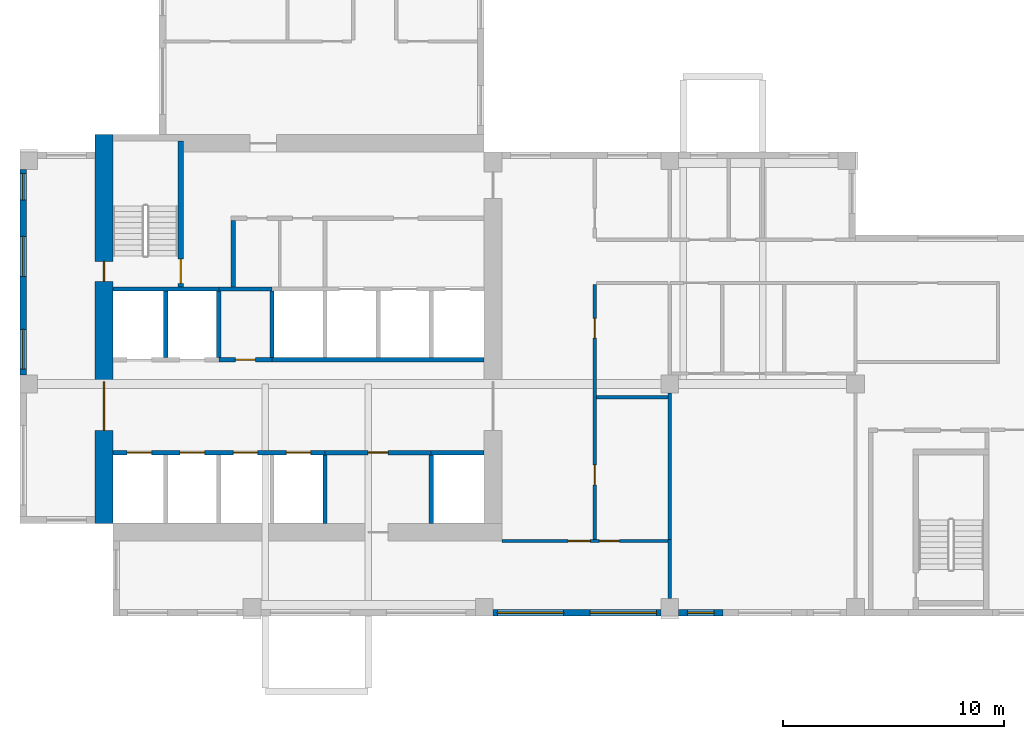
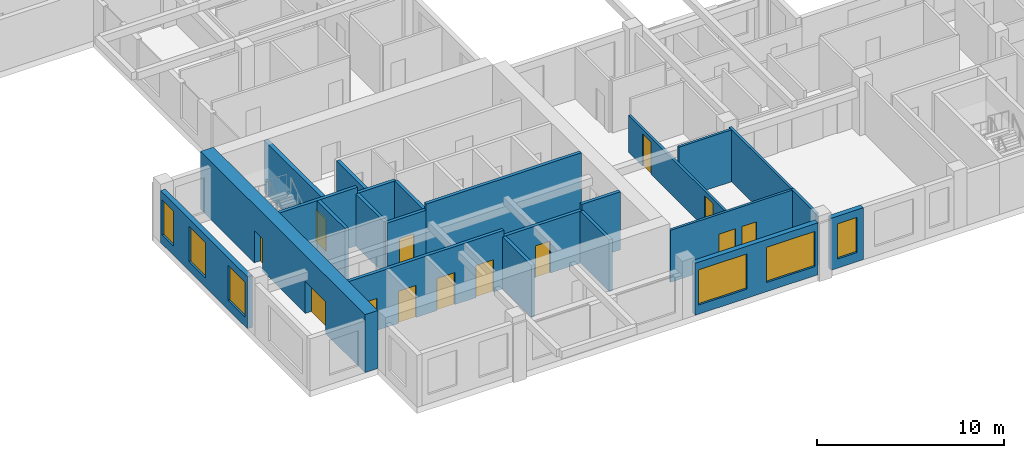
# One storey, part 2 of 11: 23 walls, 13 doors, 6 windows, 19 openings.
"""IFC4 building model written with IfcOpenShell, lengths in metres."""

from ifc_helpers import new_model, si_unit, direction, frame, frame_2d, origin, place, context, subcontext, project, spatial, rectangle, extrude, source, transform, mapped, material, layer, layer_set, type_object, element, fill, save


model = new_model("IFC4")

# Units and contexts
model_context = context("Model", 3, precision=1e-05, world=origin(), true_north=direction((0.0, 1.0)))
body_context = subcontext(model_context, "Body", "Model", "MODEL_VIEW")
ifc_project = project(units=[si_unit("LENGTHUNIT", "METRE"), si_unit("AREAUNIT", "SQUARE_METRE"), si_unit("VOLUMEUNIT", "CUBIC_METRE"), si_unit("PLANEANGLEUNIT", "RADIAN"), si_unit("MASSUNIT", "GRAM", prefix="KILO")], contexts=[model_context])

# Site, building, storey
site_placement = place(None, origin())
site = spatial("IfcSite", under=ifc_project, at=site_placement, CompositionType="ELEMENT")
building_placement = place(site_placement, origin())
building = spatial("IfcBuilding", under=site, at=building_placement, Name="Aurelian Terraces", CompositionType="ELEMENT")
storey_placement = place(building_placement, frame((0.0, 0.0, 250.0)))
storey = spatial("IfcBuildingStorey", under=building, at=storey_placement, Name="L57", CompositionType="ELEMENT", Elevation=250.0)

# Wall, openings, doors
ifc_material_1 = material(Name="Concrete fc' 70 MPa", Category="concrete")
ifc_layer_1 = layer(ifc_material_1, 0.8)
ifc_layer_set_1 = layer_set([ifc_layer_1], Name="CORE WALL 800 FC70")
wall_type_1 = type_object("IfcWallType", Name="CORE WALL 800 FC70", PredefinedType="SHEAR", material=ifc_layer_set_1)
shared_shape_1 = source(origin(), body_context, "Body", "SweptSolid", [
    extrude(rectangle(XDim=17.6, YDim=0.8, at=frame_2d((8.8, 0.0))), origin(), (0.0, 0.0, 1.0), 3.8),
])
wall_1_placement = place(storey_placement, frame((3.8, 4.2, 0.0), z_axis=(0.0, 0.0, 1.0), x_axis=(0.0, 1.0, 0.0)))
wall_1 = element("IfcWall", 1, at=wall_1_placement, inside=storey, type_object=wall_type_1, Name="Core wall W L57", PredefinedType="SHEAR", context=body_context, shape_type="MappedRepresentation", body=[
    mapped(shared_shape_1, transform((0.0, 0.0, 0.0), scale=1.0)),
])
shared_shape_2 = source(origin(), body_context, "Body", "SweptSolid", [
    extrude(rectangle(XDim=2.2, YDim=2.1, at=frame_2d((1.1, 1.05))), frame((0.0, 0.41, 0.0), z_axis=(0.0, -1.0, 0.0), x_axis=(1.0, 0.0, 0.0)), (0.0, 0.0, 1.0), 0.82),
])
opening_1_placement = place(wall_1_placement, frame((4.2, 0.0, 0.0)))
opening_1 = element("IfcOpeningElement", 2, at=opening_1_placement, cuts=wall_1, Name="Opening 66022", PredefinedType="OPENING", context=body_context, shape_type="MappedRepresentation", body=[
    mapped(shared_shape_2, transform((0.0, 0.0, 0.0), scale=1.0)),
])
shared_shape_3 = source(origin(), body_context, "Body", "SweptSolid", [
    extrude(rectangle(XDim=0.9, YDim=2.1, at=frame_2d((0.45, 1.05))), frame((0.0, 0.41, 0.0), z_axis=(0.0, -1.0, 0.0), x_axis=(1.0, 0.0, 0.0)), (0.0, 0.0, 1.0), 0.82),
])
opening_2_placement = place(wall_1_placement, frame((10.95, 0.0, 0.0)))
opening_2 = element("IfcOpeningElement", 3, at=opening_2_placement, cuts=wall_1, Name="Opening 66026", PredefinedType="OPENING", context=body_context, shape_type="MappedRepresentation", body=[
    mapped(shared_shape_3, transform((0.0, 0.0, 0.0), scale=1.0)),
])
ifc_material_2 = material(Name="Steel door leaf", Category="steel")
door_type_1 = type_object("IfcDoorType", Name="Core service door 900x2100 right", OperationType="SINGLE_SWING_RIGHT", PredefinedType="DOOR", material=ifc_material_2)
shared_shape_4 = source(origin(), body_context, "Body", "SweptSolid", [
    extrude(rectangle(XDim=0.9, YDim=2.1, at=frame_2d((0.45, 1.05))), frame((0.0, 0.025, 0.0), z_axis=(0.0, -1.0, 0.0), x_axis=(1.0, 0.0, 0.0)), (0.0, 0.0, 1.0), 0.05),
])
door_1_placement = place(opening_2_placement, origin())
door_1 = element("IfcDoor", 4, at=door_1_placement, inside=storey, type_object=door_type_1, Name="Core door 66026", OperationType="SINGLE_SWING_RIGHT", OverallHeight=2.1, OverallWidth=0.9, PredefinedType="DOOR", context=body_context, shape_type="MappedRepresentation", body=[
    mapped(shared_shape_4, transform((0.0, 0.0, 0.0), scale=1.0)),
])
fill(opening_2, door_1)
door_type_2 = type_object("IfcDoorType", Name="Core double door 2200x2100", OperationType="DOUBLE_DOOR_SINGLE_SWING", PredefinedType="DOOR", material=ifc_material_2)
shared_shape_5 = source(origin(), body_context, "Body", "SweptSolid", [
    extrude(rectangle(XDim=2.2, YDim=2.1, at=frame_2d((1.1, 1.05))), frame((0.0, 0.025, 0.0), z_axis=(0.0, -1.0, 0.0), x_axis=(1.0, 0.0, 0.0)), (0.0, 0.0, 1.0), 0.05),
])
door_2_placement = place(opening_1_placement, origin())
door_2 = element("IfcDoor", 5, at=door_2_placement, inside=storey, type_object=door_type_2, Name="Core door 66022", OperationType="DOUBLE_DOOR_SINGLE_SWING", OverallHeight=2.1, OverallWidth=2.2, PredefinedType="DOOR", context=body_context, shape_type="MappedRepresentation", body=[
    mapped(shared_shape_5, transform((0.0, 0.0, 0.0), scale=1.0)),
])
fill(opening_1, door_2)

# Wall, openings, windows
ifc_material_3 = material(Name="Terracotta rainscreen cladding", Category="masonry")
ifc_layer_2 = layer(ifc_material_3, 0.3)
ifc_layer_set_2 = layer_set([ifc_layer_2], Name="EW-300")
wall_type_2 = type_object("IfcWallType", Name="EW-300", PredefinedType="STANDARD", material=ifc_layer_set_2)
shared_shape_6 = source(origin(), body_context, "Body", "SweptSolid", [
    extrude(rectangle(XDim=7.6, YDim=0.3, at=frame_2d((3.8, 0.0))), origin(), (0.0, 0.0, 1.0), 3.4),
])
wall_2_placement = place(storey_placement, frame((21.4, 0.15, 0.0), z_axis=(0.0, 0.0, 1.0), x_axis=(1.0, 0.0, 0.0)))
wall_2 = element("IfcWall", 6, at=wall_2_placement, inside=storey, type_object=wall_type_2, Name="External wall L57 F01.3", PredefinedType="STANDARD", context=body_context, shape_type="MappedRepresentation", body=[
    mapped(shared_shape_6, transform((0.0, 0.0, 0.0), scale=1.0)),
])
shared_shape_7 = source(origin(), body_context, "Body", "SweptSolid", [
    extrude(rectangle(XDim=3.0, YDim=2.3, at=frame_2d((1.5, 1.15))), frame((0.0, 0.16, 0.0), z_axis=(0.0, -1.0, 0.0), x_axis=(1.0, 0.0, 0.0)), (0.0, 0.0, 1.0), 0.32),
])
opening_3_placement = place(wall_2_placement, frame((0.2, 0.0, 0.6)))
opening_3 = element("IfcOpeningElement", 7, at=opening_3_placement, cuts=wall_2, Name="Opening W3023", PredefinedType="OPENING", context=body_context, shape_type="MappedRepresentation", body=[
    mapped(shared_shape_7, transform((0.0, 0.0, 0.0), scale=1.0)),
])
opening_4_placement = place(wall_2_placement, frame((4.4, 0.0, 0.6)))
opening_4 = element("IfcOpeningElement", 8, at=opening_4_placement, cuts=wall_2, Name="Opening W3023", PredefinedType="OPENING", context=body_context, shape_type="MappedRepresentation", body=[
    mapped(shared_shape_7, transform((0.0, 0.0, 0.0), scale=1.0)),
])
ifc_material_4 = material(Name="Clear glazing", Category="glass")
window_type_1 = type_object("IfcWindowType", Name="W-3000x2300", PartitioningType="SINGLE_PANEL", PredefinedType="WINDOW", material=ifc_material_4)
shared_shape_8 = source(origin(), body_context, "Body", "SweptSolid", [
    extrude(rectangle(XDim=3.0, YDim=2.3, at=frame_2d((1.5, 1.15))), frame((0.0, 0.03, 0.0), z_axis=(0.0, -1.0, 0.0), x_axis=(1.0, 0.0, 0.0)), (0.0, 0.0, 1.0), 0.06),
])
window_1_placement = place(opening_3_placement, origin())
window_1 = element("IfcWindow", 9, at=window_1_placement, inside=storey, type_object=window_type_1, Name="Window L57 L57-F01-03-0", OverallHeight=2.3, OverallWidth=3.0, PartitioningType="SINGLE_PANEL", PredefinedType="WINDOW", context=body_context, shape_type="MappedRepresentation", body=[
    mapped(shared_shape_8, transform((0.0, 0.0, 0.0), scale=1.0)),
])
fill(opening_3, window_1)
window_2_placement = place(opening_4_placement, origin())
window_2 = element("IfcWindow", 10, at=window_2_placement, inside=storey, type_object=window_type_1, Name="Window L57 L57-F01-03-1", OverallHeight=2.3, OverallWidth=3.0, PartitioningType="SINGLE_PANEL", PredefinedType="WINDOW", context=body_context, shape_type="MappedRepresentation", body=[
    mapped(shared_shape_8, transform((0.0, 0.0, 0.0), scale=1.0)),
])
fill(opening_4, window_2)

# Wall, opening, window
shared_shape_9 = source(origin(), body_context, "Body", "SweptSolid", [
    extrude(rectangle(XDim=2.0, YDim=0.3, at=frame_2d((1.0, 0.0))), origin(), (0.0, 0.0, 1.0), 3.4),
])
wall_3_placement = place(storey_placement, frame((29.8, 0.15, 0.0), z_axis=(0.0, 0.0, 1.0), x_axis=(1.0, 0.0, 0.0)))
wall_3 = element("IfcWall", 11, at=wall_3_placement, inside=storey, type_object=wall_type_2, Name="External wall L57 F01.4", PredefinedType="STANDARD", context=body_context, shape_type="MappedRepresentation", body=[
    mapped(shared_shape_9, transform((0.0, 0.0, 0.0), scale=1.0)),
])
shared_shape_10 = source(origin(), body_context, "Body", "SweptSolid", [
    extrude(rectangle(XDim=1.2, YDim=2.3, at=frame_2d((0.6, 1.15))), frame((0.0, 0.16, 0.0), z_axis=(0.0, -1.0, 0.0), x_axis=(1.0, 0.0, 0.0)), (0.0, 0.0, 1.0), 0.32),
])
opening_5_placement = place(wall_3_placement, frame((0.4, 0.0, 0.6)))
opening_5 = element("IfcOpeningElement", 12, at=opening_5_placement, cuts=wall_3, Name="Opening W1223", PredefinedType="OPENING", context=body_context, shape_type="MappedRepresentation", body=[
    mapped(shared_shape_10, transform((0.0, 0.0, 0.0), scale=1.0)),
])
window_type_2 = type_object("IfcWindowType", Name="W-1200x2300", PartitioningType="SINGLE_PANEL", PredefinedType="WINDOW", material=ifc_material_4)
shared_shape_11 = source(origin(), body_context, "Body", "SweptSolid", [
    extrude(rectangle(XDim=1.2, YDim=2.3, at=frame_2d((0.6, 1.15))), frame((0.0, 0.03, 0.0), z_axis=(0.0, -1.0, 0.0), x_axis=(1.0, 0.0, 0.0)), (0.0, 0.0, 1.0), 0.06),
])
window_3_placement = place(opening_5_placement, origin())
window_3 = element("IfcWindow", 13, at=window_3_placement, inside=storey, type_object=window_type_2, Name="Window L57 L57-F01-04-P0", OverallHeight=2.3, OverallWidth=1.2, PartitioningType="SINGLE_PANEL", PredefinedType="WINDOW", context=body_context, shape_type="MappedRepresentation", body=[
    mapped(shared_shape_11, transform((0.0, 0.0, 0.0), scale=1.0)),
])
fill(opening_5, window_3)

# Wall, openings, windows
shared_shape_12 = source(origin(), body_context, "Body", "SweptSolid", [
    extrude(rectangle(XDim=9.3, YDim=0.3, at=frame_2d((4.65, 0.0))), origin(), (0.0, 0.0, 1.0), 3.4),
])
wall_4_placement = place(storey_placement, frame((0.15, 20.2, 0.0), z_axis=(0.0, 0.0, 1.0), x_axis=(0.0, -1.0, 0.0)))
wall_4 = element("IfcWall", 14, at=wall_4_placement, inside=storey, type_object=wall_type_2, Name="External wall L57 F20.33", PredefinedType="STANDARD", context=body_context, shape_type="MappedRepresentation", body=[
    mapped(shared_shape_12, transform((0.0, 0.0, 0.0), scale=1.0)),
])
opening_6_placement = place(wall_4_placement, frame((0.175, 0.0, 0.6)))
opening_6 = element("IfcOpeningElement", 15, at=opening_6_placement, cuts=wall_4, Name="Opening W1223", PredefinedType="OPENING", context=body_context, shape_type="MappedRepresentation", body=[
    mapped(shared_shape_10, transform((0.0, 0.0, 0.0), scale=1.0)),
])
shared_shape_13 = source(origin(), body_context, "Body", "SweptSolid", [
    extrude(rectangle(XDim=1.8, YDim=2.3, at=frame_2d((0.9, 1.15))), frame((0.0, 0.16, 0.0), z_axis=(0.0, -1.0, 0.0), x_axis=(1.0, 0.0, 0.0)), (0.0, 0.0, 1.0), 0.32),
])
opening_7_placement = place(wall_4_placement, frame((3.025, 0.0, 0.6)))
opening_7 = element("IfcOpeningElement", 16, at=opening_7_placement, cuts=wall_4, Name="Opening W1823", PredefinedType="OPENING", context=body_context, shape_type="MappedRepresentation", body=[
    mapped(shared_shape_13, transform((0.0, 0.0, 0.0), scale=1.0)),
])
opening_8_placement = place(wall_4_placement, frame((7.225, 0.0, 0.6)))
opening_8 = element("IfcOpeningElement", 17, at=opening_8_placement, cuts=wall_4, Name="Opening W1823", PredefinedType="OPENING", context=body_context, shape_type="MappedRepresentation", body=[
    mapped(shared_shape_13, transform((0.0, 0.0, 0.0), scale=1.0)),
])
window_4_placement = place(opening_6_placement, origin())
window_4 = element("IfcWindow", 18, at=window_4_placement, inside=storey, type_object=window_type_2, Name="Window L57 L57-F20-33-0", OverallHeight=2.3, OverallWidth=1.2, PartitioningType="SINGLE_PANEL", PredefinedType="WINDOW", context=body_context, shape_type="MappedRepresentation", body=[
    mapped(shared_shape_11, transform((0.0, 0.0, 0.0), scale=1.0)),
])
fill(opening_6, window_4)
window_type_3 = type_object("IfcWindowType", Name="W-1800x2300", PartitioningType="SINGLE_PANEL", PredefinedType="WINDOW", material=ifc_material_4)
shared_shape_14 = source(origin(), body_context, "Body", "SweptSolid", [
    extrude(rectangle(XDim=1.8, YDim=2.3, at=frame_2d((0.9, 1.15))), frame((0.0, 0.03, 0.0), z_axis=(0.0, -1.0, 0.0), x_axis=(1.0, 0.0, 0.0)), (0.0, 0.0, 1.0), 0.06),
])
window_5_placement = place(opening_7_placement, origin())
window_5 = element("IfcWindow", 19, at=window_5_placement, inside=storey, type_object=window_type_3, Name="Window L57 L57-F20-33-1", OverallHeight=2.3, OverallWidth=1.8, PartitioningType="SINGLE_PANEL", PredefinedType="WINDOW", context=body_context, shape_type="MappedRepresentation", body=[
    mapped(shared_shape_14, transform((0.0, 0.0, 0.0), scale=1.0)),
])
fill(opening_7, window_5)
window_6_placement = place(opening_8_placement, origin())
window_6 = element("IfcWindow", 20, at=window_6_placement, inside=storey, type_object=window_type_3, Name="Window L57 L57-F20-33-2", OverallHeight=2.3, OverallWidth=1.8, PartitioningType="SINGLE_PANEL", PredefinedType="WINDOW", context=body_context, shape_type="MappedRepresentation", body=[
    mapped(shared_shape_14, transform((0.0, 0.0, 0.0), scale=1.0)),
])
fill(opening_8, window_6)

# Walls
ifc_material_5 = material(Name="Concrete fc' 40 MPa", Category="concrete")
ifc_layer_3 = layer(ifc_material_5, 0.2)
ifc_layer_set_3 = layer_set([ifc_layer_3], Name="Lift shaft wall 200")
wall_type_3 = type_object("IfcWallType", Name="Lift shaft wall 200", PredefinedType="SOLIDWALL", material=ifc_layer_set_3)
shared_shape_15 = source(origin(), body_context, "Body", "SweptSolid", [
    extrude(rectangle(XDim=3.1, YDim=0.2, at=frame_2d((1.55, 0.0))), origin(), (0.0, 0.0, 1.0), 3.4),
])
for number, where, z_axis, x_axis, name in (
    (21, (13.8, 4.2, 0.0), (0.0, 0.0, 1.0), (0.0, 1.0, 0.0), "L57 core wall CD-A4"),
    (22, (18.6, 4.2, 0.0), (0.0, 0.0, 1.0), (0.0, 1.0, 0.0), "L57 core wall CD-A6"),
):
    element("IfcWall", number, at=place(storey_placement, frame(where, z_axis=z_axis, x_axis=x_axis)), inside=storey, type_object=wall_type_3, Name=name, PredefinedType="SOLIDWALL", context=body_context, shape_type="MappedRepresentation", body=[
        mapped(shared_shape_15, transform((0.0, 0.0, 0.0), scale=1.0)),
    ])
shared_shape_16 = source(origin(), body_context, "Body", "SweptSolid", [
    extrude(rectangle(XDim=3.0, YDim=0.2, at=frame_2d((1.5, 0.0))), origin(), (0.0, 0.0, 1.0), 3.4),
])
for number, where, z_axis, x_axis, name in (
    (23, (9.0, 11.7, 0.0), (0.0, 0.0, 1.0), (0.0, 1.0, 0.0), "L57 core wall CD-B2"),
    (24, (11.4, 11.7, 0.0), (0.0, 0.0, 1.0), (0.0, 1.0, 0.0), "L57 core wall CD-B3"),
):
    element("IfcWall", number, at=place(storey_placement, frame(where, z_axis=z_axis, x_axis=x_axis)), inside=storey, type_object=wall_type_3, Name=name, PredefinedType="SOLIDWALL", context=body_context, shape_type="MappedRepresentation", body=[
        mapped(shared_shape_16, transform((0.0, 0.0, 0.0), scale=1.0)),
    ])
shared_shape_17 = source(origin(), body_context, "Body", "SweptSolid", [
    extrude(rectangle(XDim=3.0, YDim=0.2, at=frame_2d((1.5, 0.0))), origin(), (0.0, 0.0, 1.0), 3.8),
])
wall_5_placement = place(storey_placement, frame((6.6, 11.7, 0.0), z_axis=(0.0, 0.0, 1.0), x_axis=(0.0, 1.0, 0.0)))
element("IfcWall", 25, at=wall_5_placement, inside=storey, type_object=wall_type_3, Name="L57 core wall CD-B1", PredefinedType="SOLIDWALL", context=body_context, shape_type="MappedRepresentation", body=[
    mapped(shared_shape_17, transform((0.0, 0.0, 0.0), scale=1.0)),
])

# Wall, openings, doors
shared_shape_18 = source(origin(), body_context, "Body", "SweptSolid", [
    extrude(rectangle(XDim=9.6, YDim=0.2, at=frame_2d((4.8, 0.0))), origin(), (0.0, 0.0, 1.0), 3.8),
])
wall_6_placement = place(storey_placement, frame((4.2, 7.4, 0.0), z_axis=(0.0, 0.0, 1.0), x_axis=(1.0, 0.0, 0.0)))
wall_6 = element("IfcWall", 26, at=wall_6_placement, inside=storey, type_object=wall_type_3, Name="L57 core wall CF-AF1", PredefinedType="SOLIDWALL", context=body_context, shape_type="MappedRepresentation", body=[
    mapped(shared_shape_18, transform((0.0, 0.0, 0.0), scale=1.0)),
])
shared_shape_19 = source(origin(), body_context, "Body", "SweptSolid", [
    extrude(rectangle(XDim=1.1, YDim=2.1, at=frame_2d((0.55, 1.05))), frame((0.0, 0.11, 0.0), z_axis=(0.0, -1.0, 0.0), x_axis=(1.0, 0.0, 0.0)), (0.0, 0.0, 1.0), 0.22),
])
opening_9_placement = place(wall_6_placement, frame((0.65, 0.0, 0.0)))
opening_9 = element("IfcOpeningElement", 27, at=opening_9_placement, cuts=wall_6, Name="Opening 66000", PredefinedType="OPENING", context=body_context, shape_type="MappedRepresentation", body=[
    mapped(shared_shape_19, transform((0.0, 0.0, 0.0), scale=1.0)),
])
opening_10_placement = place(wall_6_placement, frame((3.05, 0.0, 0.0)))
opening_10 = element("IfcOpeningElement", 28, at=opening_10_placement, cuts=wall_6, Name="Opening 66001", PredefinedType="OPENING", context=body_context, shape_type="MappedRepresentation", body=[
    mapped(shared_shape_19, transform((0.0, 0.0, 0.0), scale=1.0)),
])
opening_11_placement = place(wall_6_placement, frame((5.45, 0.0, 0.0)))
opening_11 = element("IfcOpeningElement", 29, at=opening_11_placement, cuts=wall_6, Name="Opening 66002", PredefinedType="OPENING", context=body_context, shape_type="MappedRepresentation", body=[
    mapped(shared_shape_19, transform((0.0, 0.0, 0.0), scale=1.0)),
])
opening_12_placement = place(wall_6_placement, frame((7.85, 0.0, 0.0)))
opening_12 = element("IfcOpeningElement", 30, at=opening_12_placement, cuts=wall_6, Name="Opening 66003", PredefinedType="OPENING", context=body_context, shape_type="MappedRepresentation", body=[
    mapped(shared_shape_19, transform((0.0, 0.0, 0.0), scale=1.0)),
])
ifc_material_6 = material(Name="Stainless steel", Category="steel")
door_type_3 = type_object("IfcDoorType", Name="Lift landing door 1100x2100", OperationType="SLIDING_TO_LEFT", PredefinedType="DOOR", material=ifc_material_6)
shared_shape_20 = source(origin(), body_context, "Body", "SweptSolid", [
    extrude(rectangle(XDim=1.1, YDim=2.1, at=frame_2d((0.55, 1.05))), frame((0.0, 0.025, 0.0), z_axis=(0.0, -1.0, 0.0), x_axis=(1.0, 0.0, 0.0)), (0.0, 0.0, 1.0), 0.05),
])
door_3_placement = place(opening_9_placement, origin())
door_3 = element("IfcDoor", 31, at=door_3_placement, inside=storey, type_object=door_type_3, Name="Lift landing door LM1 L57", OperationType="SLIDING_TO_LEFT", OverallHeight=2.1, OverallWidth=1.1, PredefinedType="DOOR", context=body_context, shape_type="MappedRepresentation", body=[
    mapped(shared_shape_20, transform((0.0, 0.0, 0.0), scale=1.0)),
])
fill(opening_9, door_3)
door_4_placement = place(opening_10_placement, origin())
door_4 = element("IfcDoor", 32, at=door_4_placement, inside=storey, type_object=door_type_3, Name="Lift landing door LM2 L57", OperationType="SLIDING_TO_LEFT", OverallHeight=2.1, OverallWidth=1.1, PredefinedType="DOOR", context=body_context, shape_type="MappedRepresentation", body=[
    mapped(shared_shape_20, transform((0.0, 0.0, 0.0), scale=1.0)),
])
fill(opening_10, door_4)
door_5_placement = place(opening_11_placement, origin())
door_5 = element("IfcDoor", 33, at=door_5_placement, inside=storey, type_object=door_type_3, Name="Lift landing door LM3 L57", OperationType="SLIDING_TO_LEFT", OverallHeight=2.1, OverallWidth=1.1, PredefinedType="DOOR", context=body_context, shape_type="MappedRepresentation", body=[
    mapped(shared_shape_20, transform((0.0, 0.0, 0.0), scale=1.0)),
])
fill(opening_11, door_5)
door_6_placement = place(opening_12_placement, origin())
door_6 = element("IfcDoor", 34, at=door_6_placement, inside=storey, type_object=door_type_3, Name="Lift landing door LM4 L57", OperationType="SLIDING_TO_LEFT", OverallHeight=2.1, OverallWidth=1.1, PredefinedType="DOOR", context=body_context, shape_type="MappedRepresentation", body=[
    mapped(shared_shape_20, transform((0.0, 0.0, 0.0), scale=1.0)),
])
fill(opening_12, door_6)

# Walls
wall_7_placement = place(storey_placement, frame((11.4, 11.6, 0.0), z_axis=(0.0, 0.0, 1.0), x_axis=(1.0, 0.0, 0.0)))
element("IfcWall", 35, at=wall_7_placement, inside=storey, type_object=wall_type_3, Name="L57 core wall CF-BF3", PredefinedType="SOLIDWALL", context=body_context, shape_type="MappedRepresentation", body=[
    mapped(shared_shape_18, transform((0.0, 0.0, 0.0), scale=1.0)),
])
shared_shape_21 = source(origin(), body_context, "Body", "SweptSolid", [
    extrude(rectangle(XDim=4.8, YDim=0.2, at=frame_2d((2.4, 0.0))), origin(), (0.0, 0.0, 1.0), 3.8),
])
wall_8_placement = place(storey_placement, frame((4.2, 14.8, 0.0), z_axis=(0.0, 0.0, 1.0), x_axis=(1.0, 0.0, 0.0)))
element("IfcWall", 36, at=wall_8_placement, inside=storey, type_object=wall_type_3, Name="L57 core wall CF-BB1", PredefinedType="SOLIDWALL", context=body_context, shape_type="MappedRepresentation", body=[
    mapped(shared_shape_21, transform((0.0, 0.0, 0.0), scale=1.0)),
])

# Wall, opening, door
shared_shape_22 = source(origin(), body_context, "Body", "SweptSolid", [
    extrude(rectangle(XDim=2.4, YDim=0.2, at=frame_2d((1.2, 0.0))), origin(), (0.0, 0.0, 1.0), 3.4),
])
wall_9_placement = place(storey_placement, frame((9.0, 11.6, 0.0), z_axis=(0.0, 0.0, 1.0), x_axis=(1.0, 0.0, 0.0)))
wall_9 = element("IfcWall", 37, at=wall_9_placement, inside=storey, type_object=wall_type_3, Name="L57 core wall CF-BF2", PredefinedType="SOLIDWALL", context=body_context, shape_type="MappedRepresentation", body=[
    mapped(shared_shape_22, transform((0.0, 0.0, 0.0), scale=1.0)),
])
shared_shape_23 = source(origin(), body_context, "Body", "SweptSolid", [
    extrude(rectangle(XDim=0.9, YDim=2.1, at=frame_2d((0.45, 1.05))), frame((0.0, 0.11, 0.0), z_axis=(0.0, -1.0, 0.0), x_axis=(1.0, 0.0, 0.0)), (0.0, 0.0, 1.0), 0.22),
])
opening_13_placement = place(wall_9_placement, frame((0.75, 0.0, 0.0)))
opening_13 = element("IfcOpeningElement", 38, at=opening_13_placement, cuts=wall_9, Name="Opening 66007", PredefinedType="OPENING", context=body_context, shape_type="MappedRepresentation", body=[
    mapped(shared_shape_23, transform((0.0, 0.0, 0.0), scale=1.0)),
])
door_7_placement = place(opening_13_placement, origin())
door_7 = element("IfcDoor", 39, at=door_7_placement, inside=storey, type_object=door_type_1, Name="Room door 66007", OperationType="SINGLE_SWING_RIGHT", OverallHeight=2.1, OverallWidth=0.9, PredefinedType="DOOR", context=body_context, shape_type="MappedRepresentation", body=[
    mapped(shared_shape_4, transform((0.0, 0.0, 0.0), scale=1.0)),
])
fill(opening_13, door_7)

# Walls
wall_10_placement = place(storey_placement, frame((9.0, 14.8, 0.0), z_axis=(0.0, 0.0, 1.0), x_axis=(1.0, 0.0, 0.0)))
element("IfcWall", 40, at=wall_10_placement, inside=storey, type_object=wall_type_3, Name="L57 core wall CF-BB2", PredefinedType="SOLIDWALL", context=body_context, shape_type="MappedRepresentation", body=[
    mapped(shared_shape_22, transform((0.0, 0.0, 0.0), scale=1.0)),
])
ifc_material_7 = material(Name="Gypsum board on steel studs", Category="steel")
ifc_layer_4 = layer(ifc_material_7, 0.2)
ifc_layer_set_4 = layer_set([ifc_layer_4], Name="Core partition 200")
wall_type_4 = type_object("IfcWallType", Name="Core partition 200", PredefinedType="PARTITIONING", material=ifc_layer_set_4)
shared_shape_24 = source(origin(), body_context, "Body", "SweptSolid", [
    extrude(rectangle(XDim=3.0, YDim=0.2, at=frame_2d((1.5, 0.0))), origin(), (0.0, 0.0, 1.0), 3.4),
])
wall_11_placement = place(storey_placement, frame((9.65, 14.9, 0.0), z_axis=(0.0, 0.0, 1.0), x_axis=(0.0, 1.0, 0.0)))
element("IfcWall", 41, at=wall_11_placement, inside=storey, type_object=wall_type_4, Name="L57 core wall CP-VEST", PredefinedType="PARTITIONING", context=body_context, shape_type="MappedRepresentation", body=[
    mapped(shared_shape_24, transform((0.0, 0.0, 0.0), scale=1.0)),
])

# Wall, opening, door
shared_shape_25 = source(origin(), body_context, "Body", "SweptSolid", [
    extrude(rectangle(XDim=4.8, YDim=0.2, at=frame_2d((2.4, 0.0))), origin(), (0.0, 0.0, 1.0), 3.4),
])
wall_12_placement = place(storey_placement, frame((13.8, 7.4, 0.0), z_axis=(0.0, 0.0, 1.0), x_axis=(1.0, 0.0, 0.0)))
wall_12 = element("IfcWall", 42, at=wall_12_placement, inside=storey, type_object=wall_type_3, Name="L57 core wall CF-AF2", PredefinedType="SOLIDWALL", context=body_context, shape_type="MappedRepresentation", body=[
    mapped(shared_shape_25, transform((0.0, 0.0, 0.0), scale=1.0)),
])
opening_14_placement = place(wall_12_placement, frame((1.95, 0.0, 0.0)))
opening_14 = element("IfcOpeningElement", 43, at=opening_14_placement, cuts=wall_12, Name="Opening 66004", PredefinedType="OPENING", context=body_context, shape_type="MappedRepresentation", body=[
    mapped(shared_shape_23, transform((0.0, 0.0, 0.0), scale=1.0)),
])
door_type_4 = type_object("IfcDoorType", Name="Core service door 900x2100", OperationType="SINGLE_SWING_LEFT", PredefinedType="DOOR", material=ifc_material_2)
door_8_placement = place(opening_14_placement, origin())
door_8 = element("IfcDoor", 44, at=door_8_placement, inside=storey, type_object=door_type_4, Name="Room door 66004", OperationType="SINGLE_SWING_LEFT", OverallHeight=2.1, OverallWidth=0.9, PredefinedType="DOOR", context=body_context, shape_type="MappedRepresentation", body=[
    mapped(shared_shape_4, transform((0.0, 0.0, 0.0), scale=1.0)),
])
fill(opening_14, door_8)

# Wall
shared_shape_26 = source(origin(), body_context, "Body", "SweptSolid", [
    extrude(rectangle(XDim=2.4, YDim=0.2, at=frame_2d((1.2, 0.0))), origin(), (0.0, 0.0, 1.0), 3.8),
])
wall_13_placement = place(storey_placement, frame((18.6, 7.4, 0.0), z_axis=(0.0, 0.0, 1.0), x_axis=(1.0, 0.0, 0.0)))
element("IfcWall", 45, at=wall_13_placement, inside=storey, type_object=wall_type_3, Name="L57 core wall CF-AF3", PredefinedType="SOLIDWALL", context=body_context, shape_type="MappedRepresentation", body=[
    mapped(shared_shape_26, transform((0.0, 0.0, 0.0), scale=1.0)),
])

# Wall, opening, door
ifc_layer_5 = layer(ifc_material_5, 0.25)
ifc_layer_set_5 = layer_set([ifc_layer_5], Name="Stair enclosure wall 250")
wall_type_5 = type_object("IfcWallType", Name="Stair enclosure wall 250", PredefinedType="SOLIDWALL", material=ifc_layer_set_5)
shared_shape_27 = source(origin(), body_context, "Body", "SweptSolid", [
    extrude(rectangle(XDim=6.6, YDim=0.25, at=frame_2d((3.3, 0.0))), origin(), (0.0, 0.0, 1.0), 3.4),
])
wall_14_placement = place(storey_placement, frame((7.275, 14.9, 0.0), z_axis=(0.0, 0.0, 1.0), x_axis=(0.0, 1.0, 0.0)))
wall_14 = element("IfcWall", 46, at=wall_14_placement, inside=storey, type_object=wall_type_5, Name="L57 core wall ST-S1-E", PredefinedType="SOLIDWALL", context=body_context, shape_type="MappedRepresentation", body=[
    mapped(shared_shape_27, transform((0.0, 0.0, 0.0), scale=1.0)),
])
shared_shape_28 = source(origin(), body_context, "Body", "SweptSolid", [
    extrude(rectangle(XDim=1.1, YDim=2.1, at=frame_2d((0.55, 1.05))), frame((0.0, 0.135, 0.0), z_axis=(0.0, -1.0, 0.0), x_axis=(1.0, 0.0, 0.0)), (0.0, 0.0, 1.0), 0.27),
])
opening_15_placement = place(wall_14_placement, frame((0.15, 0.0, 0.0)))
opening_15 = element("IfcOpeningElement", 47, at=opening_15_placement, cuts=wall_14, Name="Opening 66011", PredefinedType="OPENING", context=body_context, shape_type="MappedRepresentation", body=[
    mapped(shared_shape_28, transform((0.0, 0.0, 0.0), scale=1.0)),
])
door_type_5 = type_object("IfcDoorType", Name="Core fire door 1100x2100 right", OperationType="SINGLE_SWING_RIGHT", PredefinedType="DOOR", material=ifc_material_2)
door_9_placement = place(opening_15_placement, origin())
door_9 = element("IfcDoor", 48, at=door_9_placement, inside=storey, type_object=door_type_5, Name="Stair door 66011", OperationType="SINGLE_SWING_RIGHT", OverallHeight=2.1, OverallWidth=1.1, PredefinedType="DOOR", context=body_context, shape_type="MappedRepresentation", body=[
    mapped(shared_shape_20, transform((0.0, 0.0, 0.0), scale=1.0)),
])
fill(opening_15, door_9)

# Wall, openings, doors
ifc_layer_6 = layer(ifc_material_7, 0.15)
ifc_layer_set_6 = layer_set([ifc_layer_6], Name="Partition 150")
wall_type_6 = type_object("IfcWallType", Name="Partition 150", PredefinedType="PARTITIONING", material=ifc_layer_set_6)
shared_shape_29 = source(origin(), body_context, "Body", "SweptSolid", [
    extrude(rectangle(XDim=7.525, YDim=0.15, at=frame_2d((3.7625, 0.0))), origin(), (0.0, 0.0, 1.0), 3.4),
])
wall_15_placement = place(storey_placement, frame((21.8, 3.4, 0.0), z_axis=(0.0, 0.0, 1.0), x_axis=(1.0, 0.0, 0.0)))
wall_15 = element("IfcWall", 49, at=wall_15_placement, inside=storey, type_object=wall_type_6, Name="Partition", PredefinedType="PARTITIONING", context=body_context, shape_type="MappedRepresentation", body=[
    mapped(shared_shape_29, transform((0.0, 0.0, 0.0), scale=1.0)),
])
shared_shape_30 = source(origin(), body_context, "Body", "SweptSolid", [
    extrude(rectangle(XDim=1.0, YDim=2.1, at=frame_2d((0.5, 1.05))), frame((0.0, 0.085, 0.0), z_axis=(0.0, -1.0, 0.0), x_axis=(1.0, 0.0, 0.0)), (0.0, 0.0, 1.0), 0.17),
])
opening_16_placement = place(wall_15_placement, frame((3.0, 0.0, 0.0)))
opening_16 = element("IfcOpeningElement", 50, at=opening_16_placement, cuts=wall_15, Name="Opening 757004", PredefinedType="OPENING", context=body_context, shape_type="MappedRepresentation", body=[
    mapped(shared_shape_30, transform((0.0, 0.0, 0.0), scale=1.0)),
])
shared_shape_31 = source(origin(), body_context, "Body", "SweptSolid", [
    extrude(rectangle(XDim=0.9, YDim=2.1, at=frame_2d((0.45, 1.05))), frame((0.0, 0.085, 0.0), z_axis=(0.0, -1.0, 0.0), x_axis=(1.0, 0.0, 0.0)), (0.0, 0.0, 1.0), 0.17),
])
opening_17_placement = place(wall_15_placement, frame((4.413, 0.0, 0.0)))
opening_17 = element("IfcOpeningElement", 51, at=opening_17_placement, cuts=wall_15, Name="Opening 757035", PredefinedType="OPENING", context=body_context, shape_type="MappedRepresentation", body=[
    mapped(shared_shape_31, transform((0.0, 0.0, 0.0), scale=1.0)),
])
ifc_material_8 = material(Name="Timber door leaf", Category="wood")
door_type_6 = type_object("IfcDoorType", Name="Room door 1000x2100 right", OperationType="SINGLE_SWING_RIGHT", PredefinedType="DOOR", material=ifc_material_8)
shared_shape_32 = source(origin(), body_context, "Body", "SweptSolid", [
    extrude(rectangle(XDim=1.0, YDim=2.1, at=frame_2d((0.5, 1.05))), frame((0.0, 0.025, 0.0), z_axis=(0.0, -1.0, 0.0), x_axis=(1.0, 0.0, 0.0)), (0.0, 0.0, 1.0), 0.05),
])
door_10_placement = place(opening_16_placement, origin())
door_10 = element("IfcDoor", 52, at=door_10_placement, inside=storey, type_object=door_type_6, Name="Door 757004", OperationType="SINGLE_SWING_RIGHT", OverallHeight=2.1, OverallWidth=1.0, PredefinedType="DOOR", context=body_context, shape_type="MappedRepresentation", body=[
    mapped(shared_shape_32, transform((0.0, 0.0, 0.0), scale=1.0)),
])
fill(opening_16, door_10)
door_type_7 = type_object("IfcDoorType", Name="Room door 900x2100 left", OperationType="SINGLE_SWING_LEFT", PredefinedType="DOOR", material=ifc_material_8)
door_11_placement = place(opening_17_placement, origin())
door_11 = element("IfcDoor", 53, at=door_11_placement, inside=storey, type_object=door_type_7, Name="Door 757035", OperationType="SINGLE_SWING_LEFT", OverallHeight=2.1, OverallWidth=0.9, PredefinedType="DOOR", context=body_context, shape_type="MappedRepresentation", body=[
    mapped(shared_shape_4, transform((0.0, 0.0, 0.0), scale=1.0)),
])
fill(opening_17, door_11)

shared_shape_33 = source(origin(), body_context, "Body", "SweptSolid", [
    extrude(rectangle(XDim=11.525, YDim=0.15, at=frame_2d((5.7625, 0.0))), origin(), (0.0, 0.0, 1.0), 2.4),
])
wall_16_placement = place(storey_placement, frame((26.0, 15.0, 0.0), z_axis=(0.0, 0.0, 1.0), x_axis=(0.0, -1.0, 0.0)))
wall_16 = element("IfcWall", 54, at=wall_16_placement, inside=storey, type_object=wall_type_6, Name="Partition", PredefinedType="PARTITIONING", context=body_context, shape_type="MappedRepresentation", body=[
    mapped(shared_shape_33, transform((0.0, 0.0, 0.0), scale=1.0)),
])
opening_18_placement = place(wall_16_placement, frame((8.1625, 0.0, 0.0)))
opening_18 = element("IfcOpeningElement", 55, at=opening_18_placement, cuts=wall_16, Name="Opening 757001", PredefinedType="OPENING", context=body_context, shape_type="MappedRepresentation", body=[
    mapped(shared_shape_31, transform((0.0, 0.0, 0.0), scale=1.0)),
])
opening_19_placement = place(wall_16_placement, frame((1.525, 0.0, 0.0)))
opening_19 = element("IfcOpeningElement", 56, at=opening_19_placement, cuts=wall_16, Name="Opening 757002", PredefinedType="OPENING", context=body_context, shape_type="MappedRepresentation", body=[
    mapped(shared_shape_31, transform((0.0, 0.0, 0.0), scale=1.0)),
])
door_12_placement = place(opening_18_placement, origin())
door_12 = element("IfcDoor", 57, at=door_12_placement, inside=storey, type_object=door_type_7, Name="Door 757001", OperationType="SINGLE_SWING_LEFT", OverallHeight=2.1, OverallWidth=0.9, PredefinedType="DOOR", context=body_context, shape_type="MappedRepresentation", body=[
    mapped(shared_shape_4, transform((0.0, 0.0, 0.0), scale=1.0)),
])
fill(opening_18, door_12)
door_type_8 = type_object("IfcDoorType", Name="Room door 900x2100 right", OperationType="SINGLE_SWING_RIGHT", PredefinedType="DOOR", material=ifc_material_8)
door_13_placement = place(opening_19_placement, origin())
door_13 = element("IfcDoor", 58, at=door_13_placement, inside=storey, type_object=door_type_8, Name="Door 757002", OperationType="SINGLE_SWING_RIGHT", OverallHeight=2.1, OverallWidth=0.9, PredefinedType="DOOR", context=body_context, shape_type="MappedRepresentation", body=[
    mapped(shared_shape_4, transform((0.0, 0.0, 0.0), scale=1.0)),
])
fill(opening_19, door_13)

# Walls
shared_shape_34 = source(origin(), body_context, "Body", "SweptSolid", [
    extrude(rectangle(XDim=6.626, YDim=0.15, at=frame_2d((3.313, 0.0))), origin(), (0.0, 0.0, 1.0), 3.4),
])
wall_17_placement = place(storey_placement, frame((29.4, 3.475, 0.0), z_axis=(0.0, 0.0, 1.0), x_axis=(0.0, 1.0, 0.0)))
element("IfcWall", 59, at=wall_17_placement, inside=storey, type_object=wall_type_6, Name="Partition", PredefinedType="PARTITIONING", context=body_context, shape_type="MappedRepresentation", body=[
    mapped(shared_shape_34, transform((0.0, 0.0, 0.0), scale=1.0)),
])
ifc_layer_7 = layer(ifc_material_7, 0.15)
ifc_layer_set_7 = layer_set([ifc_layer_7], Name="Fire partition 150")
wall_type_7 = type_object("IfcWallType", Name="Fire partition 150", PredefinedType="PARTITIONING", material=ifc_layer_set_7)
shared_shape_35 = source(origin(), body_context, "Body", "SweptSolid", [
    extrude(rectangle(XDim=2.656, YDim=0.15, at=frame_2d((1.328, 0.0))), origin(), (0.0, 0.0, 1.0), 3.4),
])
wall_18_placement = place(storey_placement, frame((29.4, 0.799, 0.0), z_axis=(0.0, 0.0, 1.0), x_axis=(0.0, 1.0, 0.0)))
element("IfcWall", 60, at=wall_18_placement, inside=storey, type_object=wall_type_7, Name="Party wall", PredefinedType="PARTITIONING", context=body_context, shape_type="MappedRepresentation", body=[
    mapped(shared_shape_35, transform((0.0, 0.0, 0.0), scale=1.0)),
])
shared_shape_36 = source(origin(), body_context, "Body", "SweptSolid", [
    extrude(rectangle(XDim=3.25, YDim=0.15, at=frame_2d((1.625, 0.0))), origin(), (0.0, 0.0, 1.0), 3.4),
])
wall_19_placement = place(storey_placement, frame((29.325, 9.9, 0.0), z_axis=(0.0, 0.0, 1.0), x_axis=(-1.0, 0.0, 0.0)))
element("IfcWall", 61, at=wall_19_placement, inside=storey, type_object=wall_type_6, Name="Partition", PredefinedType="PARTITIONING", context=body_context, shape_type="MappedRepresentation", body=[
    mapped(shared_shape_36, transform((0.0, 0.0, 0.0), scale=1.0)),
])

save(model, "model.ifc")
